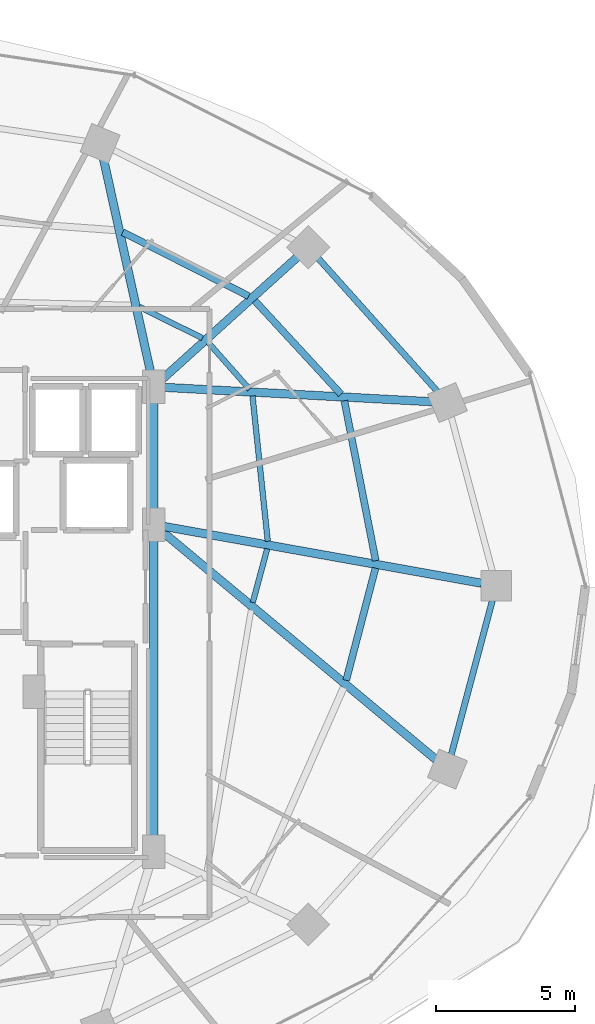
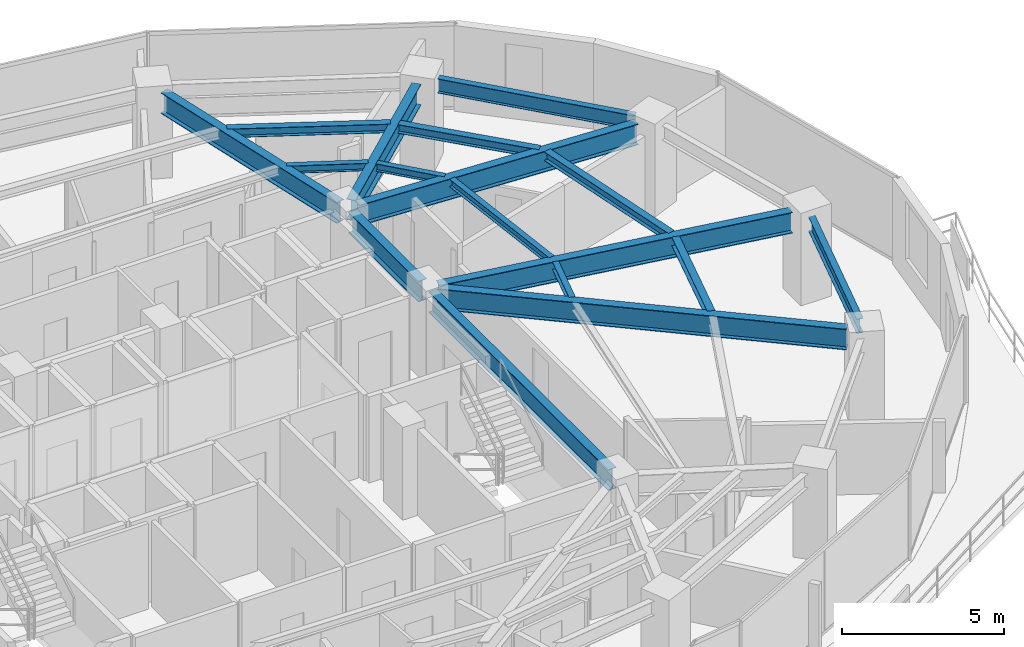
# One storey, part 14 of 29: 17 beams.
"""IFC4 building model written with IfcOpenShell, lengths in metres."""

from ifc_helpers import new_model, si_unit, direction, frame, origin, origin_2d, place, context, subcontext, project, spatial, i_section, extrude, material, material_profile, profile_set, type_object, element, save


model = new_model("IFC4")

# Units and contexts
model_context = context("Model", 3, precision=1e-05, world=origin(), true_north=direction((0.0, 1.0)))
body_context = subcontext(model_context, "Body", "Model", "MODEL_VIEW")
ifc_project = project(units=[si_unit("LENGTHUNIT", "METRE"), si_unit("AREAUNIT", "SQUARE_METRE"), si_unit("VOLUMEUNIT", "CUBIC_METRE"), si_unit("PLANEANGLEUNIT", "RADIAN"), si_unit("MASSUNIT", "GRAM", prefix="KILO")], contexts=[model_context])

# Site, building, storey
site_placement = place(None, origin())
site = spatial("IfcSite", under=ifc_project, at=site_placement, CompositionType="ELEMENT")
building_placement = place(site_placement, origin())
building = spatial("IfcBuilding", under=site, at=building_placement, Name="Vorneva Point Tower", CompositionType="ELEMENT")
storey_placement = place(building_placement, frame((0.0, 0.0, 113.800048828125)))
storey = spatial("IfcBuildingStorey", under=building, at=storey_placement, Name="L30", CompositionType="ELEMENT", Elevation=113.800048828125)

# Beams
ifc_material = material(Name="Steel S355", Category="steel")
ifc_material_profile_1 = material_profile(ifc_material, i_section(OverallWidth=0.300048828125, OverallDepth=0.7880859375, WebThickness=0.014404296875, FlangeThickness=0.02197265625, at=origin_2d()), Name="80Sh1")
ifc_profile_set_1 = profile_set([ifc_material_profile_1], Name="Steel S355")
beam_type_1 = type_object("IfcBeamType", Name="BM-GRD-80Sh1", PredefinedType="USERDEFINED", material=ifc_profile_set_1)
beam_1_placement = place(storey_placement, frame((60.5205078125, 26.0947265625, 2.845947265625), z_axis=(-0.984378310682, 0.176066298476, 0.0), x_axis=(-0.176066298476, -0.984378310682, 0.0)))
element("IfcBeam", 1, at=beam_1_placement, inside=storey, type_object=beam_type_1, Name="L30 Radial Primary Girder 01", ObjectType="GIRDER", PredefinedType="USERDEFINED", context=body_context, shape_type="SweptSolid", body=[
    extrude(i_section(OverallWidth=0.300048828125, OverallDepth=0.7880859375, WebThickness=0.014404296875, FlangeThickness=0.02197265625, at=origin_2d()), origin(), (0.0, 0.0, 1.0), 11.6171875),
])
beam_2_placement = place(storey_placement, frame((58.75830078125, 32.611083984375, 2.845947265625), z_axis=(-0.998554075878, 0.053756465161, 0.0), x_axis=(-0.053756465161, -0.998554075878, 0.0)))
element("IfcBeam", 2, at=beam_2_placement, inside=storey, type_object=beam_type_1, Name="L30 Radial Primary Girder 02", ObjectType="GIRDER", PredefinedType="USERDEFINED", context=body_context, shape_type="SweptSolid", body=[
    extrude(i_section(OverallWidth=0.300048828125, OverallDepth=0.7880859375, WebThickness=0.014404296875, FlangeThickness=0.02197265625, at=origin_2d()), origin(), (0.0, 0.0, 1.0), 9.6826171875),
])
beam_3_placement = place(storey_placement, frame((53.899658203125, 37.801513671875, 2.845947265625), z_axis=(-0.742097300344, -0.670292172729, 0.0), x_axis=(0.670292172729, -0.742097300344, 0.0)))
element("IfcBeam", 3, at=beam_3_placement, inside=storey, type_object=beam_type_1, Name="L30 Radial Primary Girder 03", ObjectType="GIRDER", PredefinedType="USERDEFINED", context=body_context, shape_type="SweptSolid", body=[
    extrude(i_section(OverallWidth=0.300048828125, OverallDepth=0.7880859375, WebThickness=0.014404296875, FlangeThickness=0.02197265625, at=origin_2d()), origin(), (0.0, 0.0, 1.0), 6.599365234375),
])
beam_4_placement = place(storey_placement, frame((46.936767578125, 41.365234375, 2.845947265625), z_axis=(0.215530944428, -0.976497010745, 0.0), x_axis=(0.976497010745, 0.215530944428, 0.0)))
element("IfcBeam", 4, at=beam_4_placement, inside=storey, type_object=beam_type_1, Name="L30 Radial Primary Girder 04", ObjectType="GIRDER", PredefinedType="USERDEFINED", context=body_context, shape_type="SweptSolid", body=[
    extrude(i_section(OverallWidth=0.300048828125, OverallDepth=0.7880859375, WebThickness=0.014404296875, FlangeThickness=0.02197265625, at=origin_2d()), origin(), (0.0, 0.0, 1.0), 8.072998046875),
])
beam_5_placement = place(storey_placement, frame((58.882080078125, 19.76220703125, 2.845947265625), z_axis=(-0.768431550428, 0.639931990376, 0.0), x_axis=(-0.639931990376, -0.768431550428, 0.0)))
element("IfcBeam", 5, at=beam_5_placement, inside=storey, type_object=beam_type_1, Name="L30 Radial Primary Girder 16", ObjectType="GIRDER", PredefinedType="USERDEFINED", context=body_context, shape_type="SweptSolid", body=[
    extrude(i_section(OverallWidth=0.300048828125, OverallDepth=0.7880859375, WebThickness=0.014404296875, FlangeThickness=0.02197265625, at=origin_2d()), origin(), (0.0, 0.0, 1.0), 12.845458984375),
])
beam_6_placement = place(storey_placement, frame((48.75, 16.77001953125, 2.845947265625), z_axis=(0.0, 1.0, 0.0), x_axis=(-1.0, 0.0, 0.0)))
element("IfcBeam", 6, at=beam_6_placement, inside=storey, type_object=beam_type_1, Name="L30 Core Tie Girder CT3", ObjectType="GIRDER", PredefinedType="USERDEFINED", context=body_context, shape_type="SweptSolid", body=[
    extrude(i_section(OverallWidth=0.300048828125, OverallDepth=0.7880859375, WebThickness=0.014404296875, FlangeThickness=0.02197265625, at=origin_2d()), origin(), (0.0, 0.0, 1.0), 11.10986328125),
])
beam_7_placement = place(storey_placement, frame((48.75, 28.52001953125, 2.845947265625), z_axis=(0.0, 1.0, 0.0), x_axis=(-1.0, 0.0, 0.0)))
element("IfcBeam", 7, at=beam_7_placement, inside=storey, type_object=beam_type_1, Name="L30 Core Tie Girder CT4", ObjectType="GIRDER", PredefinedType="USERDEFINED", context=body_context, shape_type="SweptSolid", body=[
    extrude(i_section(OverallWidth=0.300048828125, OverallDepth=0.7880859375, WebThickness=0.014404296875, FlangeThickness=0.02197265625, at=origin_2d()), origin(), (0.0, 0.0, 1.0), 4.31005859375),
])
ifc_material_profile_2 = material_profile(ifc_material, i_section(OverallWidth=0.199951171875, OverallDepth=0.291015625, WebThickness=0.008056640625, FlangeThickness=0.010986328125, at=origin_2d()), Name="30Sh1")
ifc_profile_set_2 = profile_set([ifc_material_profile_2], Name="Steel S355")
beam_type_2 = type_object("IfcBeamType", Name="BM-SEC-30Sh1", PredefinedType="BEAM", material=ifc_profile_set_2)
beam_8_placement = place(storey_placement, frame((52.843994140625, 27.602294921875, 3.094482421875), z_axis=(-0.10464604788, 0.994509529699, 0.0), x_axis=(-0.994509529699, -0.10464604788, 0.0)))
element("IfcBeam", 8, at=beam_8_placement, inside=storey, type_object=beam_type_2, Name="L30 Secondary Floor Beam 2.01", PredefinedType="BEAM", context=body_context, shape_type="SweptSolid", body=[
    extrude(i_section(OverallWidth=0.199951171875, OverallDepth=0.291015625, WebThickness=0.008056640625, FlangeThickness=0.010986328125, at=origin_2d()), origin(), (0.0, 0.0, 1.0), 5.249267578125),
])
beam_9_placement = place(storey_placement, frame((52.188720703125, 33.063232421875, 3.094482421875), z_axis=(-0.662684826544, 0.748898404771, 0.0), x_axis=(-0.748898404771, -0.662684826544, 0.0)))
element("IfcBeam", 9, at=beam_9_placement, inside=storey, type_object=beam_type_2, Name="L30 Secondary Floor Beam 2.02", PredefinedType="BEAM", context=body_context, shape_type="SweptSolid", body=[
    extrude(i_section(OverallWidth=0.199951171875, OverallDepth=0.291015625, WebThickness=0.008056640625, FlangeThickness=0.010986328125, at=origin_2d()), origin(), (0.0, 0.0, 1.0), 2.2314453125),
])
beam_10_placement = place(storey_placement, frame((50.49462890625, 34.89892578125, 3.094482421875), z_axis=(-0.896137449279, 0.443776601456, 0.0), x_axis=(-0.443776601456, -0.896137449279, 0.0)))
element("IfcBeam", 10, at=beam_10_placement, inside=storey, type_object=beam_type_2, Name="L30 Secondary Floor Beam 2.03", PredefinedType="BEAM", context=body_context, shape_type="SweptSolid", body=[
    extrude(i_section(OverallWidth=0.199951171875, OverallDepth=0.291015625, WebThickness=0.008056640625, FlangeThickness=0.010986328125, at=origin_2d()), origin(), (0.0, 0.0, 1.0), 2.53125),
])
beam_11_placement = place(storey_placement, frame((52.304443359375, 25.403076171875, 3.094482421875), z_axis=(0.25952628154, 0.965736045299, 0.0), x_axis=(-0.965736045299, 0.25952628154, 0.0)))
element("IfcBeam", 11, at=beam_11_placement, inside=storey, type_object=beam_type_2, Name="L30 Secondary Floor Beam 2.16", PredefinedType="BEAM", context=body_context, shape_type="SweptSolid", body=[
    extrude(i_section(OverallWidth=0.199951171875, OverallDepth=0.291015625, WebThickness=0.008056640625, FlangeThickness=0.010986328125, at=origin_2d()), origin(), (0.0, 0.0, 1.0), 1.9970703125),
])
ifc_material_profile_3 = material_profile(ifc_material, i_section(OverallWidth=0.2490234375, OverallDepth=0.333984375, WebThickness=0.008056640625, FlangeThickness=0.010986328125, at=origin_2d()), Name="35Sh1")
ifc_profile_set_3 = profile_set([ifc_material_profile_3], Name="Steel S355")
beam_type_3 = type_object("IfcBeamType", Name="BM-SEC-35Sh1", PredefinedType="BEAM", material=ifc_profile_set_3)
beam_12_placement = place(storey_placement, frame((56.72021484375, 26.905029296875, 3.072998046875), z_axis=(-0.192456211841, 0.981305562261, 0.0), x_axis=(-0.981305562261, -0.192456211841, 0.0)))
element("IfcBeam", 12, at=beam_12_placement, inside=storey, type_object=beam_type_3, Name="L30 Secondary Floor Beam 1.01", PredefinedType="BEAM", context=body_context, shape_type="SweptSolid", body=[
    extrude(i_section(OverallWidth=0.2490234375, OverallDepth=0.333984375, WebThickness=0.008056640625, FlangeThickness=0.010986328125, at=origin_2d()), origin(), (0.0, 0.0, 1.0), 5.851806640625),
])
beam_13_placement = place(storey_placement, frame((55.473876953125, 32.88427734375, 3.072998046875), z_axis=(-0.67812021116, 0.734951004637, 0.0), x_axis=(-0.734951004637, -0.67812021116, 0.0)))
element("IfcBeam", 13, at=beam_13_placement, inside=storey, type_object=beam_type_3, Name="L30 Secondary Floor Beam 1.02", PredefinedType="BEAM", context=body_context, shape_type="SweptSolid", body=[
    extrude(i_section(OverallWidth=0.2490234375, OverallDepth=0.333984375, WebThickness=0.008056640625, FlangeThickness=0.010986328125, at=origin_2d()), origin(), (0.0, 0.0, 1.0), 4.566650390625),
])
beam_14_placement = place(storey_placement, frame((52.160400390625, 36.404296875, 3.072998046875), z_axis=(-0.891736950486, 0.452554097471, 0.0), x_axis=(-0.452554097471, -0.891736950486, 0.0)))
element("IfcBeam", 14, at=beam_14_placement, inside=storey, type_object=beam_type_3, Name="L30 Secondary Floor Beam 1.03", PredefinedType="BEAM", context=body_context, shape_type="SweptSolid", body=[
    extrude(i_section(OverallWidth=0.2490234375, OverallDepth=0.333984375, WebThickness=0.008056640625, FlangeThickness=0.010986328125, at=origin_2d()), origin(), (0.0, 0.0, 1.0), 5.075927734375),
])
beam_15_placement = place(storey_placement, frame((55.659423828125, 22.6083984375, 3.072998046875), z_axis=(0.252760882145, 0.967528778103, 0.0), x_axis=(-0.967528778103, 0.252760882145, 0.0)))
element("IfcBeam", 15, at=beam_15_placement, inside=storey, type_object=beam_type_3, Name="L30 Secondary Floor Beam 1.16", PredefinedType="BEAM", context=body_context, shape_type="SweptSolid", body=[
    extrude(i_section(OverallWidth=0.2490234375, OverallDepth=0.333984375, WebThickness=0.008056640625, FlangeThickness=0.010986328125, at=origin_2d()), origin(), (0.0, 0.0, 1.0), 4.1630859375),
])
ifc_material_profile_4 = material_profile(ifc_material, i_section(OverallWidth=0.219970703125, OverallDepth=0.54296875, WebThickness=0.009521484375, FlangeThickness=0.013427734375, at=origin_2d()), Name="55B1")
ifc_profile_set_4 = profile_set([ifc_material_profile_4], Name="Steel S355")
beam_type_4 = type_object("IfcBeamType", Name="BM-SPN-55B1", PredefinedType="SPANDREL", material=ifc_profile_set_4)
beam_16_placement = place(storey_placement, frame((58.9384765625, 32.980712890625, 2.968505859375), z_axis=(-0.667073815664, 0.744991627105, 0.0), x_axis=(-0.744991627105, -0.667073815664, 0.0)))
element("IfcBeam", 16, at=beam_16_placement, inside=storey, type_object=beam_type_4, Name="L30 Perimeter Spandrel Ring Beam 02", PredefinedType="SPANDREL", context=body_context, shape_type="SweptSolid", body=[
    extrude(i_section(OverallWidth=0.219970703125, OverallDepth=0.54296875, WebThickness=0.009521484375, FlangeThickness=0.013427734375, at=origin_2d()), origin(), (0.0, 0.0, 1.0), 6.420166015625),
])
beam_17_placement = place(storey_placement, frame((59.43310546875, 19.934814453125, 2.968505859375), z_axis=(0.257572674071, 0.966258928845, 0.0), x_axis=(-0.966258928845, 0.257572674071, 0.0)))
element("IfcBeam", 17, at=beam_17_placement, inside=storey, type_object=beam_type_4, Name="L30 Perimeter Spandrel Ring Beam 16", PredefinedType="SPANDREL", context=body_context, shape_type="SweptSolid", body=[
    extrude(i_section(OverallWidth=0.219970703125, OverallDepth=0.54296875, WebThickness=0.009521484375, FlangeThickness=0.013427734375, at=origin_2d()), origin(), (0.0, 0.0, 1.0), 5.7421875),
])

save(model, "model.ifc")
